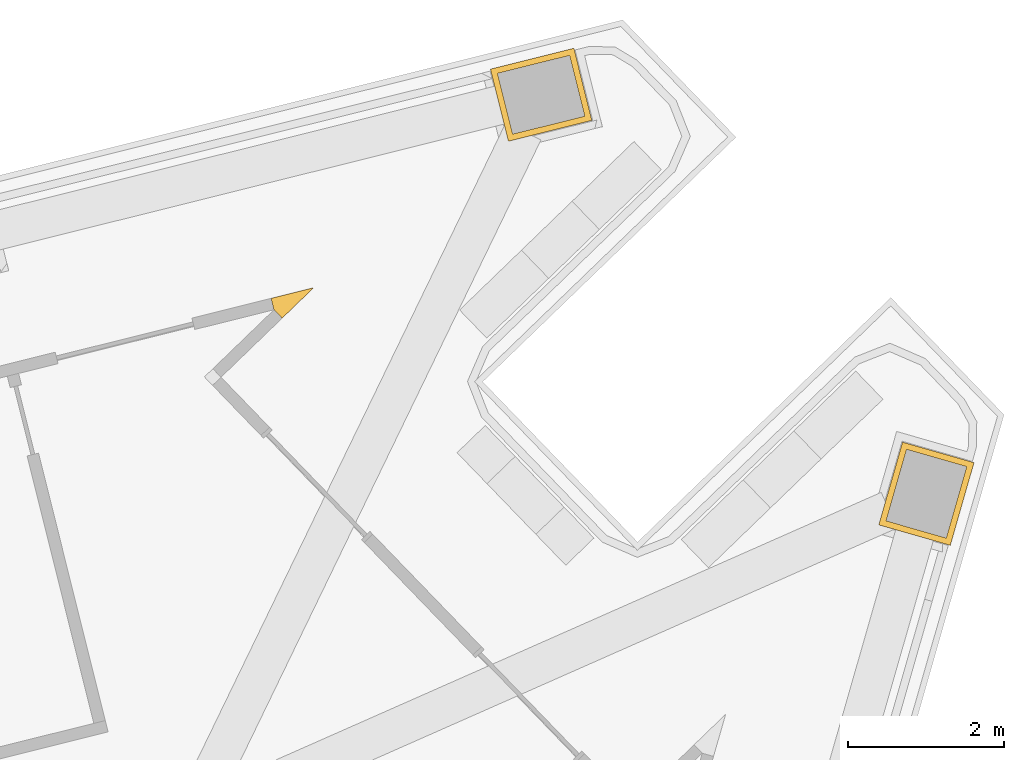
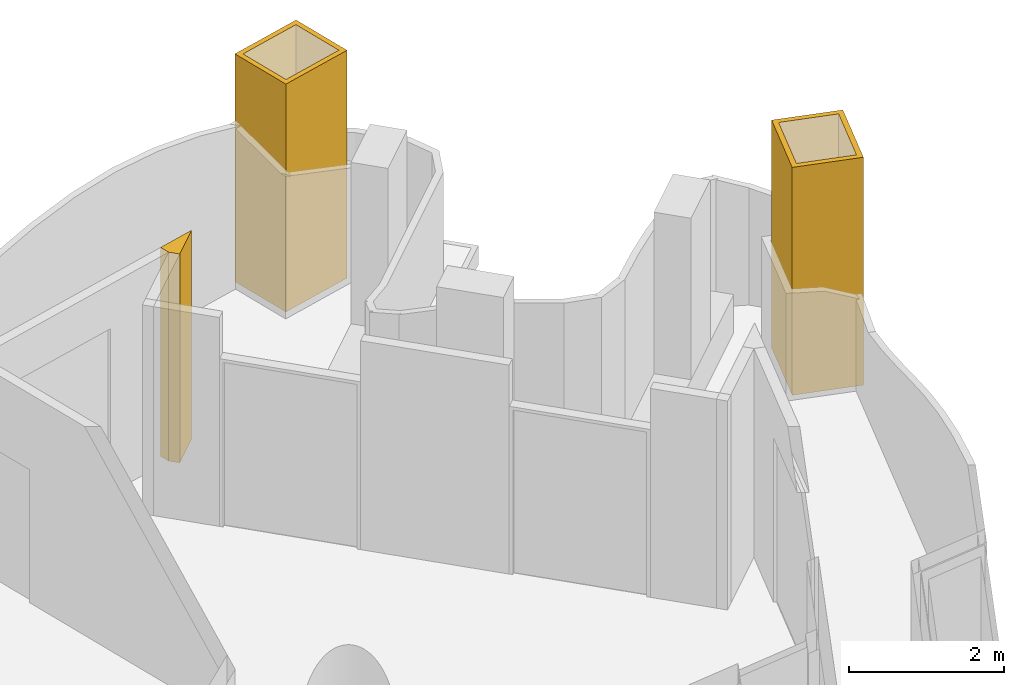
# One storey, part 17 of 18: 3 coverings.
"""IFC4 building model written with IfcOpenShell, lengths in metres."""

from ifc_helpers import new_model, si_unit, direction, frame, origin, place, context, subcontext, project, spatial, polyline, outline, extrude, material, layer, layer_set, type_object, element, save


model = new_model("IFC4")

# Units and contexts
model_context = context("Model", 3, precision=1e-05, world=origin(), true_north=direction((0.0, 1.0)))
body_context = subcontext(model_context, "Body", "Model", "MODEL_VIEW")
ifc_project = project(units=[si_unit("LENGTHUNIT", "METRE"), si_unit("AREAUNIT", "SQUARE_METRE"), si_unit("VOLUMEUNIT", "CUBIC_METRE"), si_unit("PLANEANGLEUNIT", "RADIAN"), si_unit("MASSUNIT", "GRAM", prefix="KILO")], contexts=[model_context])

# Site, building, storey
site_placement = place(None, origin())
site = spatial("IfcSite", under=ifc_project, at=site_placement, CompositionType="ELEMENT")
building_placement = place(site_placement, origin())
building = spatial("IfcBuilding", under=site, at=building_placement, Name="Trine Commons Tower", CompositionType="ELEMENT")
storey_placement = place(building_placement, frame((0.0, 0.0, 90.89990234375)))
storey = spatial("IfcBuildingStorey", under=building, at=storey_placement, Name="L22", CompositionType="ELEMENT", Elevation=90.89990234375)

# Coverings
ifc_material_1 = material(Name="Aluminium-framed insulated wall panel", Category="aluminium")
ifc_layer_1 = layer(ifc_material_1, 0.14990234375)
ifc_layer_set_1 = layer_set([ifc_layer_1], Name="Aluminium-framed insulated wall panel")
covering_type_1 = type_object("IfcCoveringType", Name="Glazing corner post, aluminium", PredefinedType="CLADDING", material=ifc_layer_set_1)
covering_1_placement = place(storey_placement, origin())
element("IfcCovering", 1, at=covering_1_placement, inside=storey, type_object=covering_type_1, Name="Glazing corner post 3-05", PredefinedType="CLADDING", context=body_context, shape_type="SweptSolid", body=[
    extrude(outline(polyline([(98.252197265625, 85.394775390625), (98.65478515625, 85.78369140625), (98.11181640625, 85.648193359375), (98.14794921875, 85.502685546875), (98.252197265625, 85.394775390625)])), origin(), (0.0, 0.0, 1.0), 3.300048828125),
])
ifc_material_2 = material(Name="Limestone, honed", Category="masonry")
ifc_layer_2 = layer(ifc_material_2, 0.074951171875)
ifc_layer_set_2 = layer_set([ifc_layer_2], Name="Limestone, honed")
covering_type_2 = type_object("IfcCoveringType", Name="Limestone column cladding 75", PredefinedType="CLADDING", material=ifc_layer_set_2)
covering_2_placement = place(storey_placement, origin())
element("IfcCovering", 2, at=covering_2_placement, inside=storey, type_object=covering_type_2, Name="Limestone pier cladding 3-16", PredefinedType="CLADDING", context=body_context, shape_type="SweptSolid", body=[
    extrude(outline(polyline([(102.211181640625, 87.922607421875), (101.9814453125, 88.84423828125), (100.9140625, 88.578125), (101.14404296875, 87.656494140625), (102.211181640625, 87.922607421875)]), holes=[polyline([(102.120361328125, 87.97705078125), (101.9267578125, 88.75341796875), (101.0048828125, 88.5234375), (101.198486328125, 87.747314453125), (102.120361328125, 87.97705078125)])]), origin(), (0.0, 0.0, 1.0), 3.60009765625),
])
covering_3_placement = place(storey_placement, origin())
element("IfcCovering", 3, at=covering_3_placement, inside=storey, type_object=covering_type_2, Name="Limestone pier cladding 3-17", PredefinedType="CLADDING", context=body_context, shape_type="SweptSolid", body=[
    extrude(outline(polyline([(107.095458984375, 83.548583984375), (106.18212890625, 83.810546875), (105.87890625, 82.753173828125), (106.792236328125, 82.4912109375), (107.095458984375, 83.548583984375)]), holes=[polyline([(107.002685546875, 83.497314453125), (106.233642578125, 83.7177734375), (105.9716796875, 82.8046875), (106.74072265625, 82.583984375), (107.002685546875, 83.497314453125)])]), origin(), (0.0, 0.0, 1.0), 3.60009765625),
])

save(model, "model.ifc")
